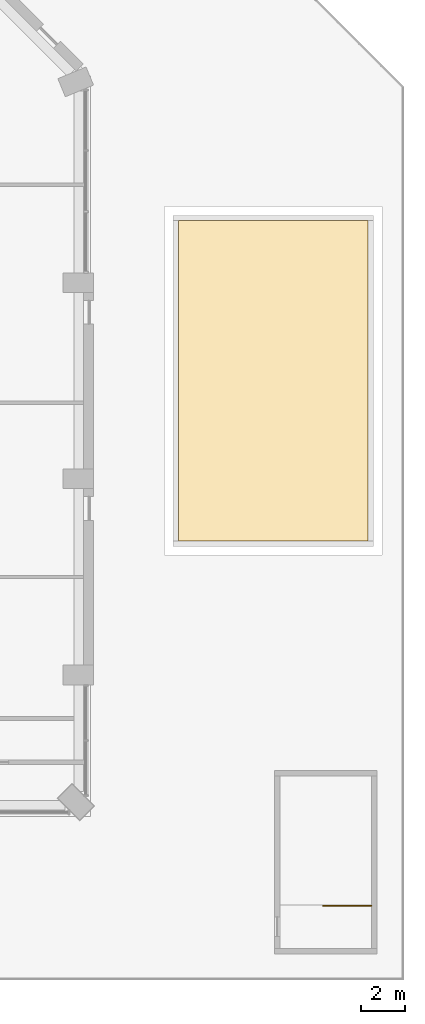
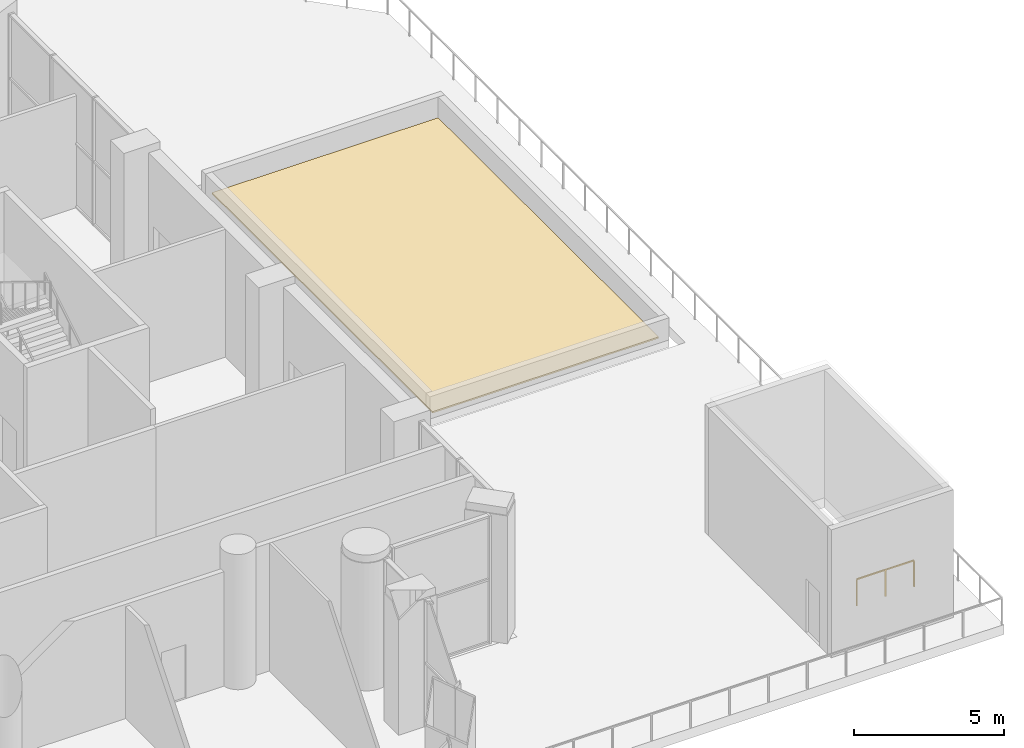
# One storey, part 26 of 26: 1 covering, 1 railing.
"""IFC4 building model written with IfcOpenShell, lengths in metres."""

from ifc_helpers import new_model, si_unit, direction, frame, origin, origin_2d, place, context, subcontext, project, spatial, polyline, rectangle, outline, extrude, material, layer, layer_set, type_object, element, save


model = new_model("IFC4")

# Units and contexts
model_context = context("Model", 3, precision=1e-05, world=origin(), true_north=direction((0.0, 1.0)))
body_context = subcontext(model_context, "Body", "Model", "MODEL_VIEW")
ifc_project = project(units=[si_unit("LENGTHUNIT", "METRE"), si_unit("AREAUNIT", "SQUARE_METRE"), si_unit("VOLUMEUNIT", "CUBIC_METRE"), si_unit("PLANEANGLEUNIT", "RADIAN"), si_unit("MASSUNIT", "GRAM", prefix="KILO")], contexts=[model_context])

# Site, building, storey
site_placement = place(None, origin())
site = spatial("IfcSite", under=ifc_project, at=site_placement, CompositionType="ELEMENT")
building_placement = place(site_placement, origin())
building = spatial("IfcBuilding", under=site, at=building_placement, Name="Cypress Arch Tower", CompositionType="ELEMENT")
storey_placement = place(building_placement, frame((0.0, 0.0, 50.0)))
storey = spatial("IfcBuildingStorey", under=building, at=storey_placement, Name="L06", CompositionType="ELEMENT", Elevation=50.0)

# Covering
ifc_material_1 = material(Name="Bituminous roofing membrane on rigid insulation, gravel ballast")
ifc_layer = layer(ifc_material_1, 0.06005859375)
ifc_layer_set = layer_set([ifc_layer], Name="Roof covering RC60")
covering_type = type_object("IfcCoveringType", Name="Roof covering RC60", PredefinedType="ROOFING", material=ifc_layer_set)
covering_placement = place(storey_placement, origin())
element("IfcCovering", 1, at=covering_placement, inside=storey, type_object=covering_type, Name="East core roof covering", PredefinedType="ROOFING", context=body_context, shape_type="SweptSolid", body=[
    extrude(outline(polyline([(37.35009765625, -7.35009765625), (37.35009765625, 7.35009765625), (28.64990234375, 7.35009765625), (28.64990234375, -7.35009765625), (37.35009765625, -7.35009765625)])), origin(), (0.0, 0.0, 1.0), 0.06005859375),
])

# Railing
ifc_material_2 = material(Name="Black powder-coated steel balusters", Category="steel")
railing_type = type_object("IfcRailingType", Name="Stair well guard G1", PredefinedType="GUARDRAIL", material=ifc_material_2)
railing_placement = place(storey_placement, frame((37.5, -24.10009765625, 0.0)))
element("IfcRailing", 2, at=railing_placement, inside=storey, type_object=railing_type, Name="L06 P4 top well guard 1", PredefinedType="GUARDRAIL", context=body_context, shape_type="SweptSolid", body=[
    extrude(rectangle(XDim=0.048095703125, YDim=0.048095703125, at=origin_2d()), frame((0.0, 0.0, 1.076171875), z_axis=(-1.0, 0.0, 0.0), x_axis=(0.0, -1.0, 0.0)), (0.0, 0.0, 1.0), 2.199951171875),
    extrude(rectangle(XDim=0.0419921875, YDim=0.0419921875, at=origin_2d()), origin(), (0.0, 0.0, 1.0), 1.052001953125),
    extrude(rectangle(XDim=0.0419921875, YDim=0.0419921875, at=origin_2d()), frame((-1.10009765625, 0.0, 0.0)), (0.0, 0.0, 1.0), 1.052001953125),
    extrude(rectangle(XDim=0.0419921875, YDim=0.0419921875, at=origin_2d()), frame((-2.199951171875, 0.0, 0.0)), (0.0, 0.0, 1.0), 1.052001953125),
])

save(model, "model.ifc")
